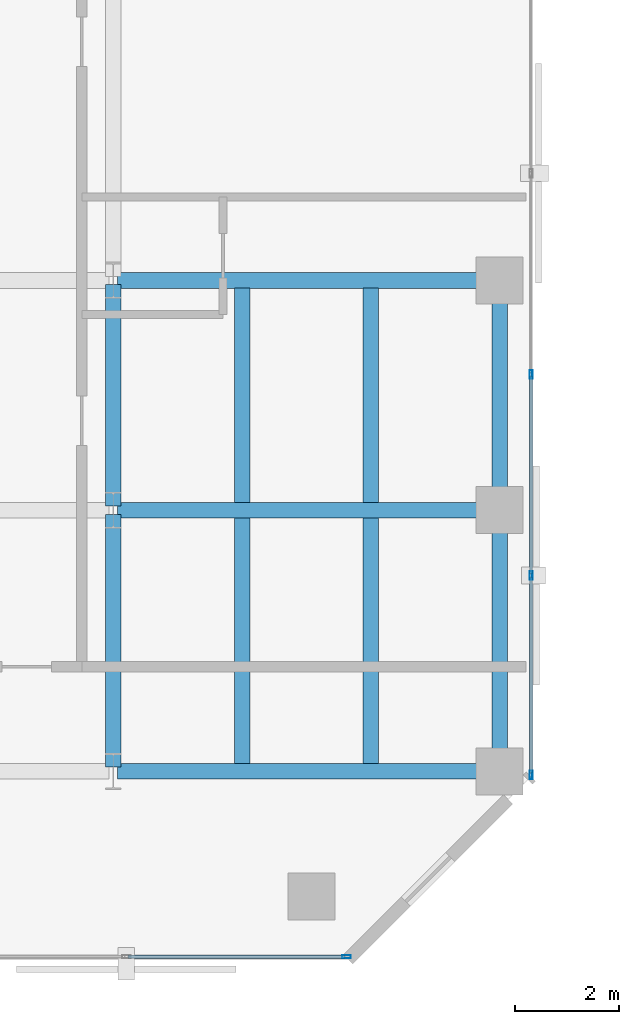
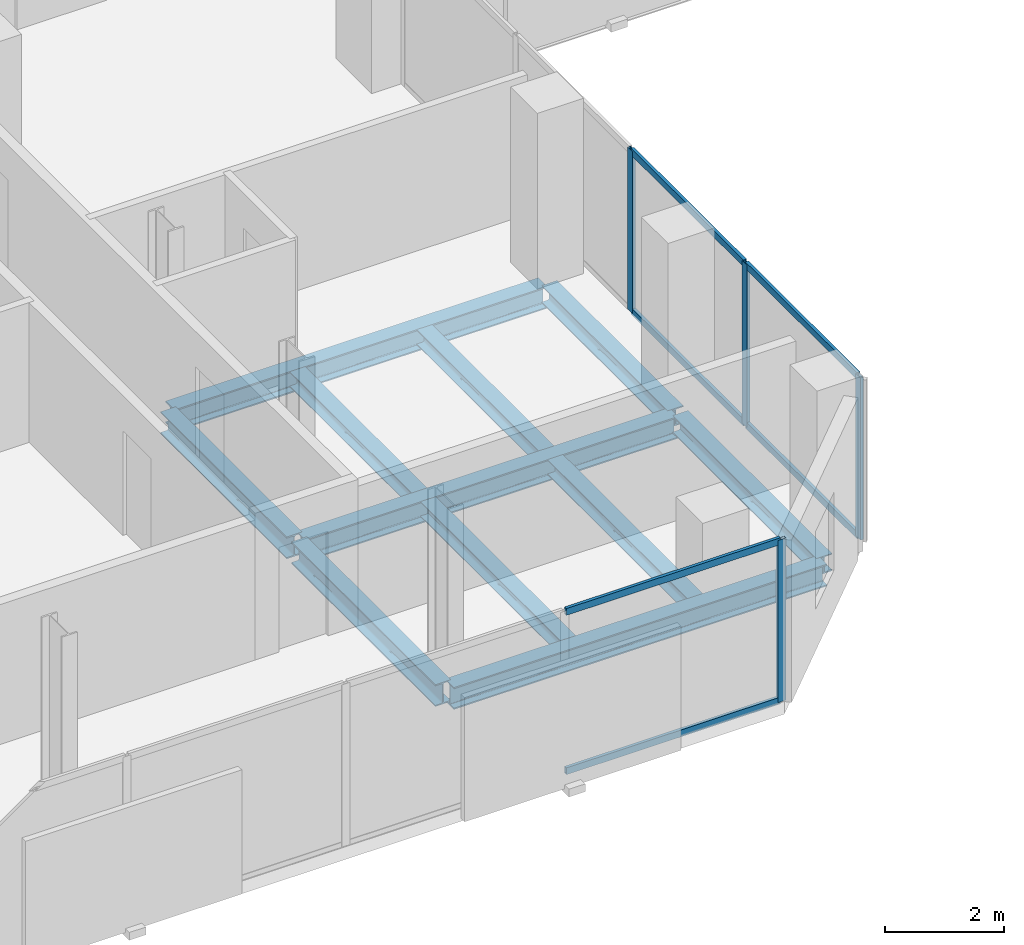
# One storey, part 7 of 33: 11 beams, 10 members, 2 elements without a shape of their own.
"""IFC4 building model written with IfcOpenShell, lengths in metres."""

from ifc_helpers import new_model, si_unit, direction, frame, origin, origin_2d, place, context, subcontext, project, spatial, hollow_rectangle, i_section, extrude, material, layer, layer_set, material_profile, profile_set, type_object, element, aggregate, save


model = new_model("IFC4")

# Units and contexts
model_context = context("Model", 3, precision=1e-05, world=origin(), true_north=direction((0.0, 1.0)))
body_context = subcontext(model_context, "Body", "Model", "MODEL_VIEW")
ifc_project = project(units=[si_unit("LENGTHUNIT", "METRE"), si_unit("AREAUNIT", "SQUARE_METRE"), si_unit("VOLUMEUNIT", "CUBIC_METRE"), si_unit("PLANEANGLEUNIT", "RADIAN"), si_unit("MASSUNIT", "GRAM", prefix="KILO")], contexts=[model_context])

# Site, building, storey
site_placement = place(None, origin())
site = spatial("IfcSite", under=ifc_project, at=site_placement, CompositionType="ELEMENT")
building_placement = place(site_placement, origin())
building = spatial("IfcBuilding", under=site, at=building_placement, Name="Catumbela Crestline Tower", CompositionType="ELEMENT")
storey_placement = place(building_placement, frame((0.0, 0.0, 104.4)))
storey = spatial("IfcBuildingStorey", under=building, at=storey_placement, Name="L26", CompositionType="ELEMENT", Elevation=104.4)

# Beams
ifc_material_1 = material(Name="Structural steel S355J2", Category="steel")
ifc_material_profile_1 = material_profile(ifc_material_1, i_section(OverallWidth=0.3, OverallDepth=0.45, WebThickness=0.014, FlangeThickness=0.026, FilletRadius=0.027, at=origin_2d()), Name="HEB 450")
ifc_profile_set_1 = profile_set([ifc_material_profile_1], Name="Structural steel S355J2")
beam_type_1 = type_object("IfcBeamType", Name="BG-HEB450", PredefinedType="BEAM", material=ifc_profile_set_1)
for number, where, z_axis, x_axis, name in (
    (1, (16.08, 8.6, -0.485), (1.0, 0.0, 0.0), (0.0, 1.0, 0.0), "L26 Beam BM-L26-WEW45"),
    (2, (16.08, 13.6, -0.485), (1.0, 0.0, 0.0), (0.0, 1.0, 0.0), "L26 Beam BM-L26-WEW48"),
    (3, (16.08, 18.0, -0.485), (1.0, 0.0, 0.0), (0.0, 1.0, 0.0), "L26 Beam BM-L26-WEW51"),
):
    element("IfcBeam", number, at=place(storey_placement, frame(where, z_axis=z_axis, x_axis=x_axis)), inside=storey, type_object=beam_type_1, Name=name, PredefinedType="BEAM", context=body_context, shape_type="SweptSolid", body=[
        extrude(i_section(OverallWidth=0.3, OverallDepth=0.45, WebThickness=0.014, FlangeThickness=0.026, FilletRadius=0.027, at=origin_2d()), origin(), (0.0, 0.0, 1.0), 7.24),
    ])
beam_1_placement = place(storey_placement, frame((16.0, 8.68, -0.485), z_axis=(0.0, 1.0, 0.0), x_axis=(-1.0, 0.0, 0.0)))
element("IfcBeam", 4, at=beam_1_placement, inside=storey, type_object=beam_type_1, Name="L26 Beam BM-L26-WNS58", PredefinedType="BEAM", context=body_context, shape_type="SweptSolid", body=[
    extrude(i_section(OverallWidth=0.3, OverallDepth=0.45, WebThickness=0.014, FlangeThickness=0.026, FilletRadius=0.027, at=origin_2d()), origin(), (0.0, 0.0, 1.0), 4.84),
])
beam_2_placement = place(storey_placement, frame((16.0, 13.68, -0.485), z_axis=(0.0, 1.0, 0.0), x_axis=(-1.0, 0.0, 0.0)))
element("IfcBeam", 5, at=beam_2_placement, inside=storey, type_object=beam_type_1, Name="L26 Beam BM-L26-WNS59", PredefinedType="BEAM", context=body_context, shape_type="SweptSolid", body=[
    extrude(i_section(OverallWidth=0.3, OverallDepth=0.45, WebThickness=0.014, FlangeThickness=0.026, FilletRadius=0.027, at=origin_2d()), origin(), (0.0, 0.0, 1.0), 4.24),
])
ifc_material_profile_2 = material_profile(ifc_material_1, i_section(OverallWidth=0.3, OverallDepth=0.31, WebThickness=0.009, FlangeThickness=0.0155, FilletRadius=0.027, at=origin_2d()), Name="HEA 320")
ifc_profile_set_2 = profile_set([ifc_material_profile_2], Name="Structural steel S355J2")
beam_type_2 = type_object("IfcBeamType", Name="BJ-HEA320", PredefinedType="JOIST", material=ifc_profile_set_2)
for number, where, z_axis, x_axis, name in (
    (6, (18.467, 8.747, -0.415), (0.0, 1.0, 0.0), (-1.0, 0.0, 0.0), "L26 Joist JS-L26-WG67"),
    (7, (20.933, 8.747, -0.415), (0.0, 1.0, 0.0), (-1.0, 0.0, 0.0), "L26 Joist JS-L26-WG68"),
):
    element("IfcBeam", number, at=place(storey_placement, frame(where, z_axis=z_axis, x_axis=x_axis)), inside=storey, type_object=beam_type_2, Name=name, PredefinedType="JOIST", context=body_context, shape_type="SweptSolid", body=[
        extrude(i_section(OverallWidth=0.3, OverallDepth=0.31, WebThickness=0.009, FlangeThickness=0.0155, FilletRadius=0.027, at=origin_2d()), origin(), (0.0, 0.0, 1.0), 4.706),
    ])
for number, where, z_axis, x_axis, name in (
    (8, (18.467, 13.747, -0.415), (0.0, 1.0, 0.0), (-1.0, 0.0, 0.0), "L26 Joist JS-L26-WG73"),
    (9, (20.933, 13.747, -0.415), (0.0, 1.0, 0.0), (-1.0, 0.0, 0.0), "L26 Joist JS-L26-WG74"),
):
    element("IfcBeam", number, at=place(storey_placement, frame(where, z_axis=z_axis, x_axis=x_axis)), inside=storey, type_object=beam_type_2, Name=name, PredefinedType="JOIST", context=body_context, shape_type="SweptSolid", body=[
        extrude(i_section(OverallWidth=0.3, OverallDepth=0.31, WebThickness=0.009, FlangeThickness=0.0155, FilletRadius=0.027, at=origin_2d()), origin(), (0.0, 0.0, 1.0), 4.106),
    ])

# Curtain wall, member
ifc_material_2 = material(Name="Aluminium alloy AW-6060-T66", Category="aluminium")
ifc_layer = layer(ifc_material_2, 0.18, Name="Aluminium alloy AW-6060-T66")
ifc_layer_set = layer_set([ifc_layer], Name="Aluminium alloy AW-6060-T66")
curtain_wall_type = type_object("IfcCurtainWallType", Name="CWU-Z2", PredefinedType="USERDEFINED", material=ifc_layer_set)
curtain_wall_1_placement = place(storey_placement, origin())
curtain_wall_1 = element("IfcCurtainWall", 10, at=curtain_wall_1_placement, inside=storey, type_object=curtain_wall_type, Name="L26 Unitised Curtain Wall CW-L26-E0S1", ObjectType="UNITISED", PredefinedType="USERDEFINED")
ifc_material_profile_3 = material_profile(ifc_material_2, hollow_rectangle(XDim=0.06, YDim=0.16, WallThickness=0.004, at=origin_2d()), Name="ALU 160x60x4")
ifc_profile_set_3 = profile_set([ifc_material_profile_3], Name="Aluminium alloy AW-6060-T66")
member_type_1 = type_object("IfcMemberType", Name="MUL-160X60", PredefinedType="MULLION", material=ifc_profile_set_3)
member_1_placement = place(storey_placement, frame((20.4675, 5.05, 0.0), z_axis=(0.0, 0.0, 1.0), x_axis=(0.0, 1.0, 0.0)))
member_1 = element("IfcMember", 11, at=member_1_placement, type_object=member_type_1, Name="CWU-Z2 mullion 5", PredefinedType="MULLION", context=body_context, shape_type="SweptSolid", body=[
    extrude(hollow_rectangle(XDim=0.06, YDim=0.16, WallThickness=0.004, at=origin_2d()), origin(), (0.0, 0.0, 1.0), 3.33),
])

# Curtain wall, members
curtain_wall_2_placement = place(storey_placement, origin())
curtain_wall_2 = element("IfcCurtainWall", 12, at=curtain_wall_2_placement, inside=storey, type_object=curtain_wall_type, Name="L26 Unitised Curtain Wall CW-L26-E2S1", ObjectType="UNITISED", PredefinedType="USERDEFINED")
member_2_placement = place(storey_placement, frame((24.0, 8.5325, 0.0), z_axis=(0.0, 0.0, 1.0), x_axis=(-1.0, 0.0, 0.0)))
member_2 = element("IfcMember", 13, at=member_2_placement, type_object=member_type_1, Name="CWU-Z2 mullion 1", PredefinedType="MULLION", context=body_context, shape_type="SweptSolid", body=[
    extrude(hollow_rectangle(XDim=0.06, YDim=0.16, WallThickness=0.004, at=origin_2d()), origin(), (0.0, 0.0, 1.0), 3.33),
])
member_3_placement = place(storey_placement, frame((24.0, 12.35, 0.0), z_axis=(0.0, 0.0, 1.0), x_axis=(-1.0, 0.0, 0.0)))
member_3 = element("IfcMember", 14, at=member_3_placement, type_object=member_type_1, Name="CWU-Z2 mullion 2", PredefinedType="MULLION", context=body_context, shape_type="SweptSolid", body=[
    extrude(hollow_rectangle(XDim=0.06, YDim=0.16, WallThickness=0.004, at=origin_2d()), origin(), (0.0, 0.0, 1.0), 3.33),
])
member_4_placement = place(storey_placement, frame((24.0, 16.2, 0.0), z_axis=(0.0, 0.0, 1.0), x_axis=(-1.0, 0.0, 0.0)))
member_4 = element("IfcMember", 15, at=member_4_placement, type_object=member_type_1, Name="CWU-Z2 mullion 3", PredefinedType="MULLION", context=body_context, shape_type="SweptSolid", body=[
    extrude(hollow_rectangle(XDim=0.06, YDim=0.16, WallThickness=0.004, at=origin_2d()), origin(), (0.0, 0.0, 1.0), 3.33),
])

# Beams
ifc_material_profile_4 = material_profile(ifc_material_1, i_section(OverallWidth=0.3, OverallDepth=0.36, WebThickness=0.0125, FlangeThickness=0.0225, FilletRadius=0.027, at=origin_2d()), Name="HEB 360")
ifc_profile_set_4 = profile_set([ifc_material_profile_4], Name="Structural steel S355J2")
beam_type_3 = type_object("IfcBeamType", Name="BS-HEB360", PredefinedType="SPANDREL", material=ifc_profile_set_4)
beam_3_placement = place(storey_placement, frame((23.4, 8.68, -0.44), z_axis=(0.0, 1.0, 0.0), x_axis=(-1.0, 0.0, 0.0)))
element("IfcBeam", 16, at=beam_3_placement, inside=storey, type_object=beam_type_3, Name="L26 Spandrel SP-L26-WNS61", PredefinedType="SPANDREL", context=body_context, shape_type="SweptSolid", body=[
    extrude(i_section(OverallWidth=0.3, OverallDepth=0.36, WebThickness=0.0125, FlangeThickness=0.0225, FilletRadius=0.027, at=origin_2d()), origin(), (0.0, 0.0, 1.0), 4.84),
])
beam_4_placement = place(storey_placement, frame((23.4, 13.68, -0.44), z_axis=(0.0, 1.0, 0.0), x_axis=(-1.0, 0.0, 0.0)))
element("IfcBeam", 17, at=beam_4_placement, inside=storey, type_object=beam_type_3, Name="L26 Spandrel SP-L26-WNS62", PredefinedType="SPANDREL", context=body_context, shape_type="SweptSolid", body=[
    extrude(i_section(OverallWidth=0.3, OverallDepth=0.36, WebThickness=0.0125, FlangeThickness=0.0225, FilletRadius=0.027, at=origin_2d()), origin(), (0.0, 0.0, 1.0), 4.24),
])

# Member
ifc_material_profile_5 = material_profile(ifc_material_2, hollow_rectangle(XDim=0.06, YDim=0.14, WallThickness=0.004, at=origin_2d()), Name="ALU 140x60x4")
ifc_profile_set_5 = profile_set([ifc_material_profile_5], Name="Aluminium alloy AW-6060-T66")
member_type_2 = type_object("IfcMemberType", Name="TRN-140X60", PredefinedType="USERDEFINED", material=ifc_profile_set_5)
member_5_placement = place(storey_placement, frame((16.2825, 5.05, 0.03), z_axis=(1.0, 0.0, 0.0), x_axis=(0.0, 1.0, 0.0)))
member_5 = element("IfcMember", 18, at=member_5_placement, type_object=member_type_2, Name="CWU-Z2 transom 4.1", ObjectType="TRANSOM", PredefinedType="USERDEFINED", context=body_context, shape_type="SweptSolid", body=[
    extrude(hollow_rectangle(XDim=0.06, YDim=0.14, WallThickness=0.004, at=origin_2d()), origin(), (0.0, 0.0, 1.0), 4.1525),
])

member_6_placement = place(storey_placement, frame((16.2825, 5.05, 3.3), z_axis=(1.0, 0.0, 0.0), x_axis=(0.0, 1.0, 0.0)))
member_6 = element("IfcMember", 19, at=member_6_placement, type_object=member_type_2, Name="CWU-Z2 transom 4.2", ObjectType="TRANSOM", PredefinedType="USERDEFINED", context=body_context, shape_type="SweptSolid", body=[
    extrude(hollow_rectangle(XDim=0.06, YDim=0.14, WallThickness=0.004, at=origin_2d()), origin(), (0.0, 0.0, 1.0), 4.1525),
])

aggregate(curtain_wall_1, [member_1, member_5, member_6])

member_7_placement = place(storey_placement, frame((24.0, 8.565, 0.03), z_axis=(0.0, 1.0, 0.0), x_axis=(-1.0, 0.0, 0.0)))
member_7 = element("IfcMember", 20, at=member_7_placement, type_object=member_type_2, Name="CWU-Z2 transom 1.1", ObjectType="TRANSOM", PredefinedType="USERDEFINED", context=body_context, shape_type="SweptSolid", body=[
    extrude(hollow_rectangle(XDim=0.06, YDim=0.14, WallThickness=0.004, at=origin_2d()), origin(), (0.0, 0.0, 1.0), 3.7525),
])

member_8_placement = place(storey_placement, frame((24.0, 8.565, 3.3), z_axis=(0.0, 1.0, 0.0), x_axis=(-1.0, 0.0, 0.0)))
member_8 = element("IfcMember", 21, at=member_8_placement, type_object=member_type_2, Name="CWU-Z2 transom 1.2", ObjectType="TRANSOM", PredefinedType="USERDEFINED", context=body_context, shape_type="SweptSolid", body=[
    extrude(hollow_rectangle(XDim=0.06, YDim=0.14, WallThickness=0.004, at=origin_2d()), origin(), (0.0, 0.0, 1.0), 3.7525),
])

member_9_placement = place(storey_placement, frame((24.0, 12.3825, 0.03), z_axis=(0.0, 1.0, 0.0), x_axis=(-1.0, 0.0, 0.0)))
member_9 = element("IfcMember", 22, at=member_9_placement, type_object=member_type_2, Name="CWU-Z2 transom 2.1", ObjectType="TRANSOM", PredefinedType="USERDEFINED", context=body_context, shape_type="SweptSolid", body=[
    extrude(hollow_rectangle(XDim=0.06, YDim=0.14, WallThickness=0.004, at=origin_2d()), origin(), (0.0, 0.0, 1.0), 3.785),
])

member_10_placement = place(storey_placement, frame((24.0, 12.3825, 3.3), z_axis=(0.0, 1.0, 0.0), x_axis=(-1.0, 0.0, 0.0)))
member_10 = element("IfcMember", 23, at=member_10_placement, type_object=member_type_2, Name="CWU-Z2 transom 2.2", ObjectType="TRANSOM", PredefinedType="USERDEFINED", context=body_context, shape_type="SweptSolid", body=[
    extrude(hollow_rectangle(XDim=0.06, YDim=0.14, WallThickness=0.004, at=origin_2d()), origin(), (0.0, 0.0, 1.0), 3.785),
])

aggregate(curtain_wall_2, [member_2, member_3, member_4, member_7, member_8, member_9, member_10])

save(model, "model.ifc")
